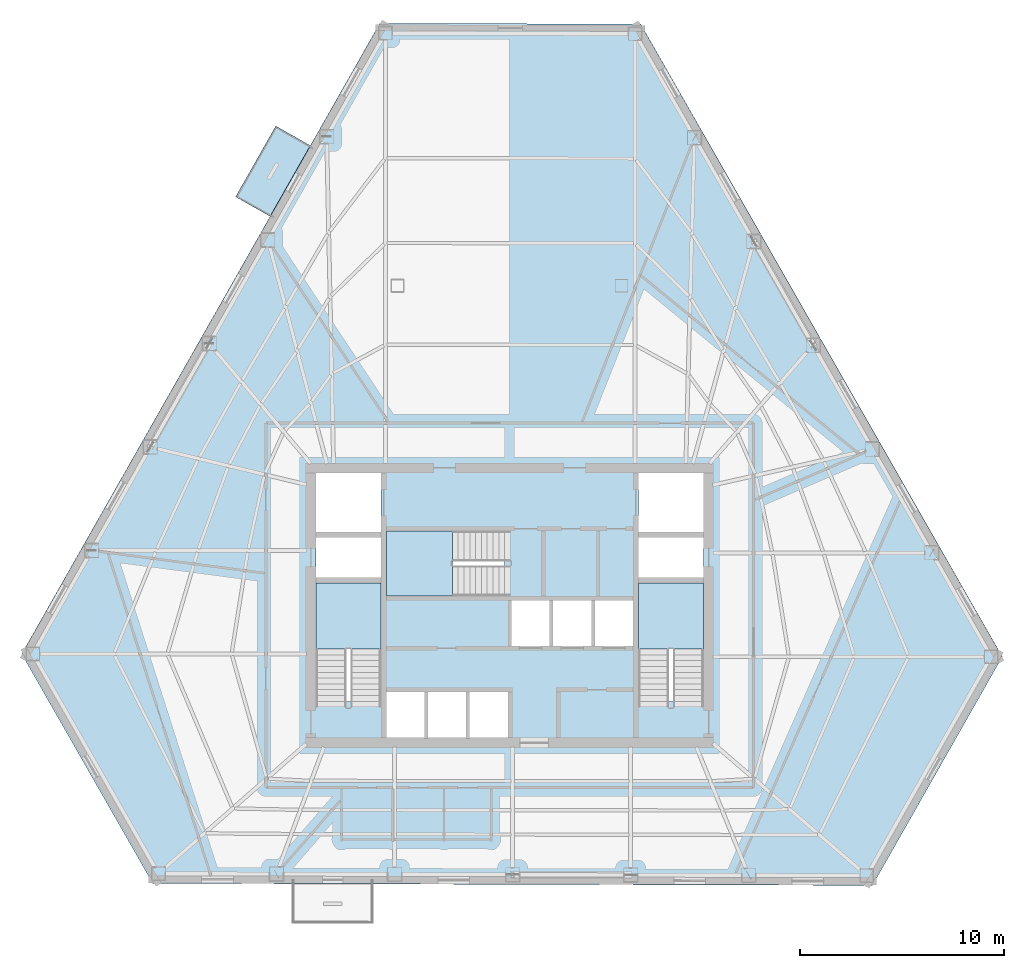
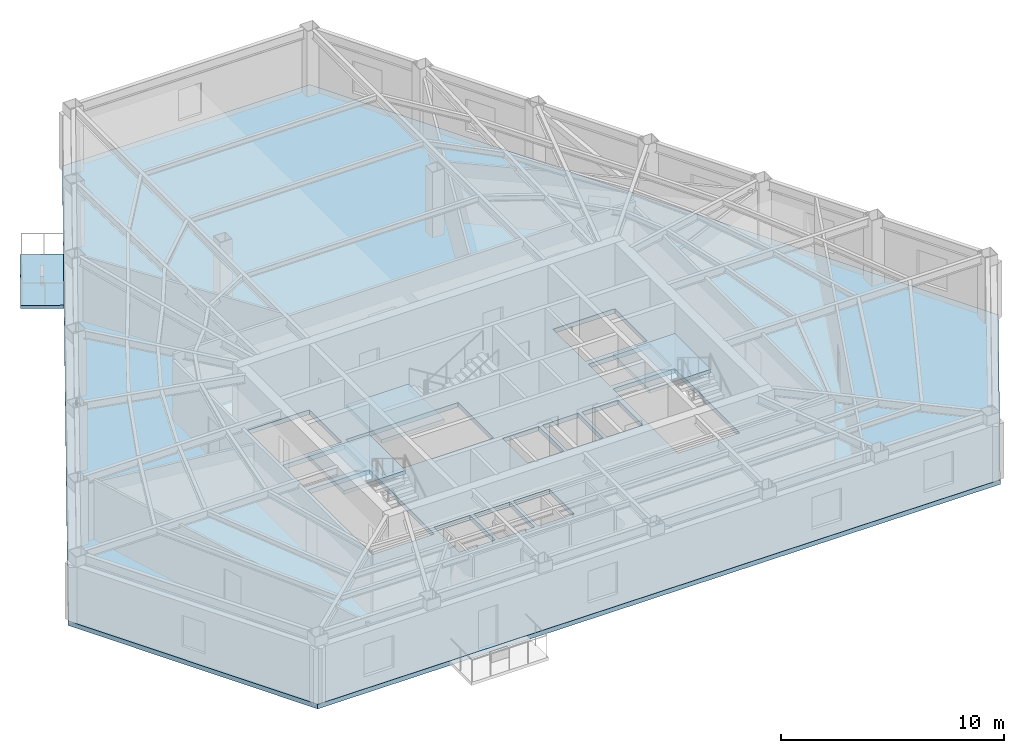
# One storey, part 3 of 13: 5 slabs, 3 elements without a shape of their own.
"""IFC4 building model written with IfcOpenShell, lengths in metres."""

from ifc_helpers import new_model, si_unit, direction, frame, origin, place, context, subcontext, project, spatial, polyline, outline, extrude, material, layer, layer_set, type_object, element, aggregate, save


model = new_model("IFC4")

# Units and contexts
model_context = context("Model", 3, precision=1e-05, world=origin(), true_north=direction((0.0, 1.0)))
body_context = subcontext(model_context, "Body", "Model", "MODEL_VIEW")
ifc_project = project(units=[si_unit("LENGTHUNIT", "METRE"), si_unit("AREAUNIT", "SQUARE_METRE"), si_unit("VOLUMEUNIT", "CUBIC_METRE"), si_unit("PLANEANGLEUNIT", "RADIAN"), si_unit("MASSUNIT", "GRAM", prefix="KILO")], contexts=[model_context])

# Site, building, storey
site_placement = place(None, origin())
site = spatial("IfcSite", under=ifc_project, at=site_placement, CompositionType="ELEMENT")
building_placement = place(site_placement, origin())
building = spatial("IfcBuilding", under=site, at=building_placement, Name="Kavelnor Concourse Tower", CompositionType="ELEMENT")
storey_placement = place(building_placement, frame((0.0, 0.0, 97.050048828125)))
storey = spatial("IfcBuildingStorey", under=building, at=storey_placement, Name="L24", CompositionType="ELEMENT", Elevation=97.050048828125)

# Slab
ifc_material = material(Name="Concrete C40/50", Category="concrete")
ifc_layer_1 = layer(ifc_material, 0.169921875, Name="Concrete C40/50")
ifc_layer_set_1 = layer_set([ifc_layer_1], Name="Concrete C40/50")
slab_type_1 = type_object("IfcSlabType", Name="SLB-BALCONY-170", PredefinedType="FLOOR", material=ifc_layer_set_1)
slab_1_placement = place(storey_placement, frame((0.0, 0.0, -0.170166015625)))
element("IfcSlab", 1, at=slab_1_placement, inside=storey, type_object=slab_type_1, Name="L24 Cantilevered Tree Balcony Slab 1", PredefinedType="FLOOR", context=body_context, shape_type="SweptSolid", body=[
    extrude(outline(polyline([(24.538818359375, 36.169677734375), (26.513916015625, 39.64794921875), (28.209716796875, 38.685302734375), (26.234619140625, 35.206787109375), (24.538818359375, 36.169677734375)])), origin(), (0.0, 0.0, 1.0), 0.170166015625),
])

# Stair, slab
stair_type = type_object("IfcStairType", Name="STR-CORE-1500", PredefinedType="HALF_TURN_STAIR", material=ifc_material)
stair_1_placement = place(storey_placement, origin())
stair_1 = element("IfcStair", 2, at=stair_1_placement, inside=storey, type_object=stair_type, Name="L24 ST1", PredefinedType="HALF_TURN_STAIR")
ifc_layer_2 = layer(ifc_material, 0.199951171875, Name="Concrete C40/50")
ifc_layer_set_2 = layer_set([ifc_layer_2], Name="Concrete C40/50")
slab_type_2 = type_object("IfcSlabType", Name="SLB-LANDING-200", PredefinedType="LANDING", material=ifc_layer_set_2)
slab_2_placement = place(storey_placement, frame((0.0, 0.0, 1.724853515625)))
slab_2 = element("IfcSlab", 3, at=slab_2_placement, type_object=slab_type_2, Name="ST1 landing 1", PredefinedType="LANDING", context=body_context, shape_type="SweptSolid", body=[
    extrude(outline(polyline([(31.679931640625, 13.949951171875), (31.679931640625, 17.199951171875), (28.47998046875, 17.199951171875), (28.47998046875, 13.949951171875), (31.679931640625, 13.949951171875)])), origin(), (0.0, 0.0, 1.0), 0.2001953125),
])
aggregate(stair_1, [slab_2])

stair_2_placement = place(storey_placement, origin())
stair_2 = element("IfcStair", 4, at=stair_2_placement, inside=storey, type_object=stair_type, Name="L24 ST2", PredefinedType="HALF_TURN_STAIR")
slab_3_placement = place(storey_placement, frame((0.0, 0.0, 1.724853515625)))
slab_3 = element("IfcSlab", 5, at=slab_3_placement, type_object=slab_type_2, Name="ST2 landing 1", PredefinedType="LANDING", context=body_context, shape_type="SweptSolid", body=[
    extrude(outline(polyline([(47.52001953125, 13.949951171875), (47.52001953125, 17.199951171875), (44.320068359375, 17.199951171875), (44.320068359375, 13.949951171875), (47.52001953125, 13.949951171875)])), origin(), (0.0, 0.0, 1.0), 0.2001953125),
])
aggregate(stair_2, [slab_3])

stair_3_placement = place(storey_placement, origin())
stair_3 = element("IfcStair", 6, at=stair_3_placement, inside=storey, type_object=stair_type, Name="L24 ST3", PredefinedType="HALF_TURN_STAIR")
slab_4_placement = place(storey_placement, frame((0.0, 0.0, 1.724853515625)))
slab_4 = element("IfcSlab", 7, at=slab_4_placement, type_object=slab_type_2, Name="ST3 landing 1", PredefinedType="LANDING", context=body_context, shape_type="SweptSolid", body=[
    extrude(outline(polyline([(35.18994140625, 19.760009765625), (31.93994140625, 19.760009765625), (31.93994140625, 16.56005859375), (35.18994140625, 16.56005859375), (35.18994140625, 19.760009765625)])), origin(), (0.0, 0.0, 1.0), 0.2001953125),
])
aggregate(stair_3, [slab_4])

# Slab
ifc_layer_3 = layer(ifc_material, 0.25, Name="Concrete C40/50")
ifc_layer_set_3 = layer_set([ifc_layer_3], Name="Concrete C40/50")
slab_type_3 = type_object("IfcSlabType", Name="SLB-OFFICE-250", PredefinedType="FLOOR", material=ifc_layer_set_3)
slab_5_placement = place(storey_placement, frame((0.0, 0.0, -0.25)))
element("IfcSlab", 8, at=slab_5_placement, inside=storey, type_object=slab_type_3, Name="L24 Composite Structural Floor Slab", PredefinedType="FLOOR", context=body_context, shape_type="SweptSolid", body=[
    extrude(outline(polyline([(44.4423828125, 44.654541015625), (31.61962890625, 44.690185546875), (14.029541015625, 13.713134765625), (20.4716796875, 2.441162109375), (55.822509765625, 2.3427734375), (62.202880859375, 13.578857421875), (44.4423828125, 44.654541015625)]), holes=[polyline([(28.47998046875, 11.3798828125), (31.679931640625, 11.3798828125), (31.679931640625, 17.199951171875), (28.47998046875, 17.199951171875), (28.47998046875, 11.3798828125)]), polyline([(44.320068359375, 11.3798828125), (47.52001953125, 11.3798828125), (47.52001953125, 17.199951171875), (44.320068359375, 17.199951171875), (44.320068359375, 11.3798828125)]), polyline([(31.93994140625, 16.56005859375), (37.760009765625, 16.56005859375), (37.760009765625, 19.760009765625), (31.93994140625, 19.760009765625), (31.93994140625, 16.56005859375)]), polyline([(28.47998046875, 19.699951171875), (31.679931640625, 19.699951171875), (31.679931640625, 22.60009765625), (28.47998046875, 22.60009765625), (28.47998046875, 19.699951171875)]), polyline([(44.320068359375, 19.699951171875), (47.52001953125, 19.699951171875), (47.52001953125, 22.60009765625), (44.320068359375, 22.60009765625), (44.320068359375, 19.699951171875)]), polyline([(38.090087890625, 14.10009765625), (39.9599609375, 14.10009765625), (39.9599609375, 16.340087890625), (38.090087890625, 16.340087890625), (38.090087890625, 14.10009765625)]), polyline([(40.139892578125, 14.10009765625), (42.010009765625, 14.10009765625), (42.010009765625, 16.340087890625), (40.139892578125, 16.340087890625), (40.139892578125, 14.10009765625)]), polyline([(42.18994140625, 14.10009765625), (44.06005859375, 14.10009765625), (44.06005859375, 16.340087890625), (42.18994140625, 16.340087890625), (42.18994140625, 14.10009765625)]), polyline([(31.93994140625, 9.60009765625), (33.81005859375, 9.60009765625), (33.81005859375, 11.840087890625), (31.93994140625, 11.840087890625), (31.93994140625, 9.60009765625)]), polyline([(33.989990234375, 9.60009765625), (35.860107421875, 9.60009765625), (35.860107421875, 11.840087890625), (33.989990234375, 11.840087890625), (33.989990234375, 9.60009765625)]), polyline([(36.0400390625, 9.60009765625), (37.909912109375, 9.60009765625), (37.909912109375, 11.840087890625), (36.0400390625, 11.840087890625), (36.0400390625, 9.60009765625)]), polyline([(28.47998046875, 17.4599609375), (31.679931640625, 17.4599609375), (31.679931640625, 19.43994140625), (28.47998046875, 19.43994140625), (28.47998046875, 17.4599609375)]), polyline([(44.320068359375, 17.4599609375), (47.52001953125, 17.4599609375), (47.52001953125, 19.43994140625), (44.320068359375, 19.43994140625), (44.320068359375, 17.4599609375)])]), origin(), (0.0, 0.0, 1.0), 0.25),
])

save(model, "model.ifc")
